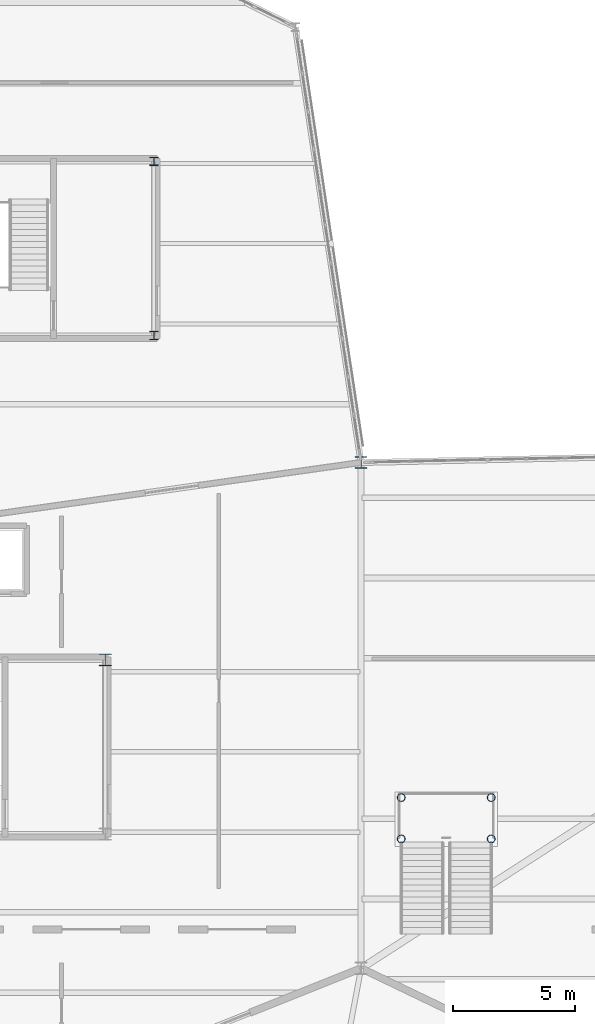
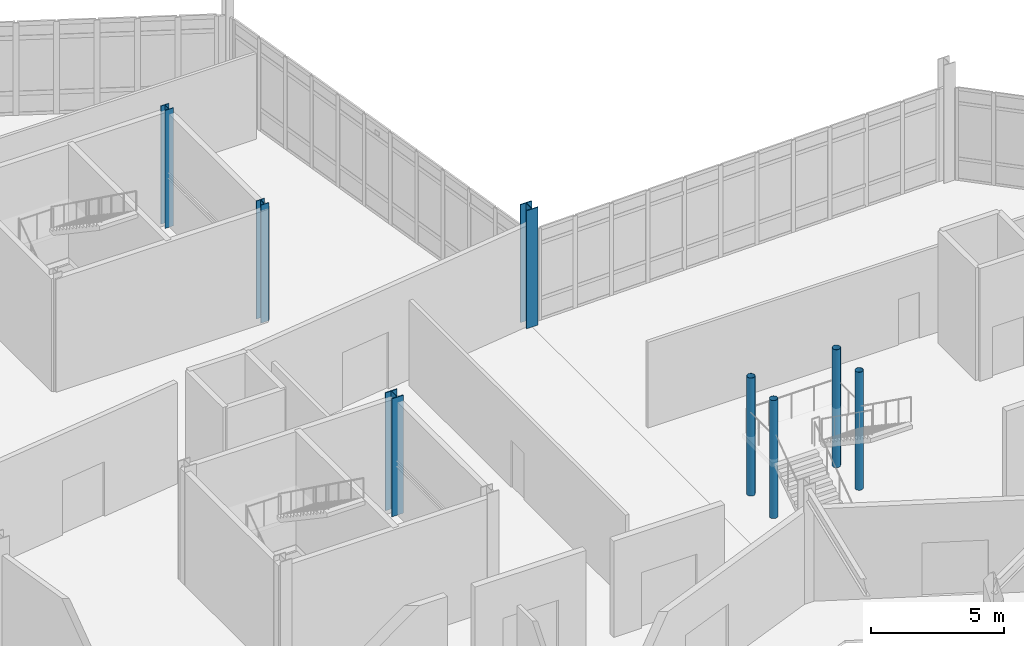
# One storey, part 10 of 113: 8 columns.
"""IFC4 building model written with IfcOpenShell, lengths in metres."""

from ifc_helpers import new_model, si_unit, direction, frame, origin, origin_2d, place, context, subcontext, project, spatial, hollow_circle, i_section, extrude, material, material_profile, profile_set, type_object, element, save


model = new_model("IFC4")

# Units and contexts
model_context = context("Model", 3, precision=1e-05, world=origin(), true_north=direction((0.0, 1.0)))
body_context = subcontext(model_context, "Body", "Model", "MODEL_VIEW")
ifc_project = project(units=[si_unit("LENGTHUNIT", "METRE"), si_unit("AREAUNIT", "SQUARE_METRE"), si_unit("VOLUMEUNIT", "CUBIC_METRE"), si_unit("PLANEANGLEUNIT", "RADIAN"), si_unit("MASSUNIT", "GRAM", prefix="KILO")], contexts=[model_context])

# Site, building, storey
site_placement = place(None, origin())
site = spatial("IfcSite", under=ifc_project, at=site_placement, CompositionType="ELEMENT")
building_placement = place(site_placement, origin())
building = spatial("IfcBuilding", under=site, at=building_placement, Name="Tameran Prism Museum", CompositionType="ELEMENT")
storey_placement = place(building_placement, origin())
storey = spatial("IfcBuildingStorey", under=building, at=storey_placement, Name="L00", CompositionType="ELEMENT", Elevation=0.0)

# Columns
ifc_material_1 = material(Name="Steel Grade C350L0 (350 MPa)", Category="steel")
ifc_material_profile_1 = material_profile(ifc_material_1, hollow_circle(Radius=0.161865234375, WallThickness=0.010009765625, at=origin_2d()))
ifc_profile_set_1 = profile_set([ifc_material_profile_1])
column_type_1 = type_object("IfcColumnType", Name="COL-CHS324", PredefinedType="COLUMN", material=ifc_profile_set_1)
for number, where, z_axis, x_axis, name in (
    (1, (79.14990234375, 32.719970703125, 0.0), (0.0, 0.0, 1.0), (1.0, 0.0, 0.0), "Atrium Stair Support Column CAS-L00-1"),
    (2, (82.85009765625, 32.719970703125, 0.0), (0.0, 0.0, 1.0), (1.0, 0.0, 0.0), "Atrium Stair Support Column CAS-L00-2"),
    (3, (79.14990234375, 34.419921875, 0.0), (0.0, 0.0, 1.0), (1.0, 0.0, 0.0), "Atrium Stair Support Column CAS-L00-3"),
    (4, (82.85009765625, 34.419921875, 0.0), (0.0, 0.0, 1.0), (1.0, 0.0, 0.0), "Atrium Stair Support Column CAS-L00-4"),
):
    element("IfcColumn", number, at=place(storey_placement, frame(where, z_axis=z_axis, x_axis=x_axis)), inside=storey, type_object=column_type_1, Name=name, PredefinedType="COLUMN", context=body_context, shape_type="SweptSolid", body=[
        extrude(hollow_circle(Radius=0.161865234375, WallThickness=0.010009765625, at=origin_2d()), origin(), (0.0, 0.0, 1.0), 5.39990234375),
    ])
ifc_material_2 = material(Name="Steel Grade 350 (350 MPa)", Category="steel")
ifc_material_profile_2 = material_profile(ifc_material_2, i_section(OverallWidth=0.35009765625, OverallDepth=0.35009765625, WebThickness=0.02001953125, FlangeThickness=0.028076171875, at=origin_2d()))
ifc_profile_set_2 = profile_set([ifc_material_profile_2])
column_type_2 = type_object("IfcColumnType", Name="COL-WC350", PredefinedType="COLUMN", material=ifc_profile_set_2)
for number, where, z_axis, x_axis, name in (
    (5, (68.97998046875, 53.419921875, 0.0), (0.0, 0.0, 1.0), (1.0, 0.0, 0.0), "Column CC-8-2 L00"),
    (6, (68.97998046875, 60.580078125, 0.0), (0.0, 0.0, 1.0), (1.0, 0.0, 0.0), "Column CC-8-3 L00"),
):
    element("IfcColumn", number, at=place(storey_placement, frame(where, z_axis=z_axis, x_axis=x_axis)), inside=storey, type_object=column_type_2, Name=name, PredefinedType="COLUMN", context=body_context, shape_type="SweptSolid", body=[
        extrude(i_section(OverallWidth=0.35009765625, OverallDepth=0.35009765625, WebThickness=0.02001953125, FlangeThickness=0.028076171875, at=origin_2d()), origin(), (0.0, 0.0, 1.0), 5.39990234375),
    ])
ifc_material_3 = material(Name="Steel Grade 350 (350 MPa)", Category="steel")
ifc_material_profile_3 = material_profile(ifc_material_3, i_section(OverallWidth=0.5, OverallDepth=0.5, WebThickness=0.02197265625, FlangeThickness=0.035888671875, at=origin_2d()))
ifc_profile_set_3 = profile_set([ifc_material_profile_3])
column_type_3 = type_object("IfcColumnType", Name="COL-WC500", PredefinedType="COLUMN", material=ifc_profile_set_3)
for number, where, z_axis, x_axis, name in (
    (7, (77.5, 48.199951171875, 0.0), (0.0, 0.0, 1.0), (1.0, 0.0, 0.0), "Column CV-35 L00"),
    (8, (66.97998046875, 40.080078125, 0.0), (0.0, 0.0, 1.0), (1.0, 0.0, 0.0), "Column CC-3-3 L00"),
):
    element("IfcColumn", number, at=place(storey_placement, frame(where, z_axis=z_axis, x_axis=x_axis)), inside=storey, type_object=column_type_3, Name=name, PredefinedType="COLUMN", context=body_context, shape_type="SweptSolid", body=[
        extrude(i_section(OverallWidth=0.5, OverallDepth=0.5, WebThickness=0.02197265625, FlangeThickness=0.035888671875, at=origin_2d()), origin(), (0.0, 0.0, 1.0), 5.39990234375),
    ])

save(model, "model.ifc")
